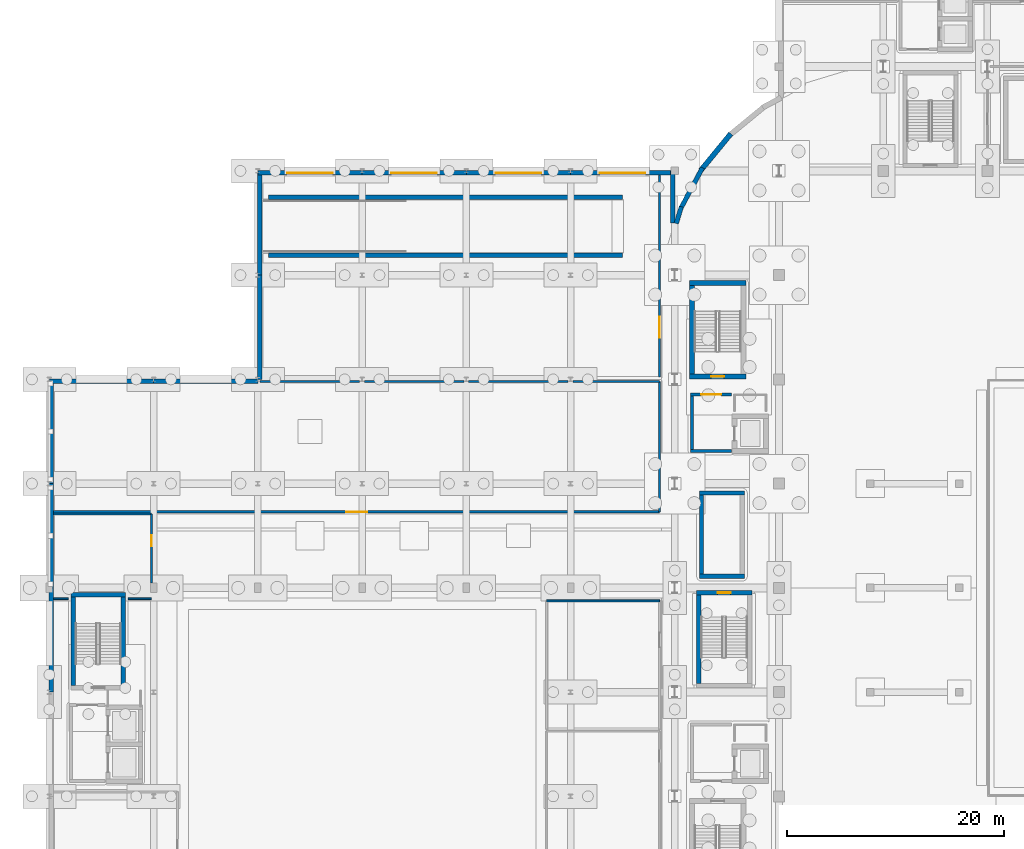
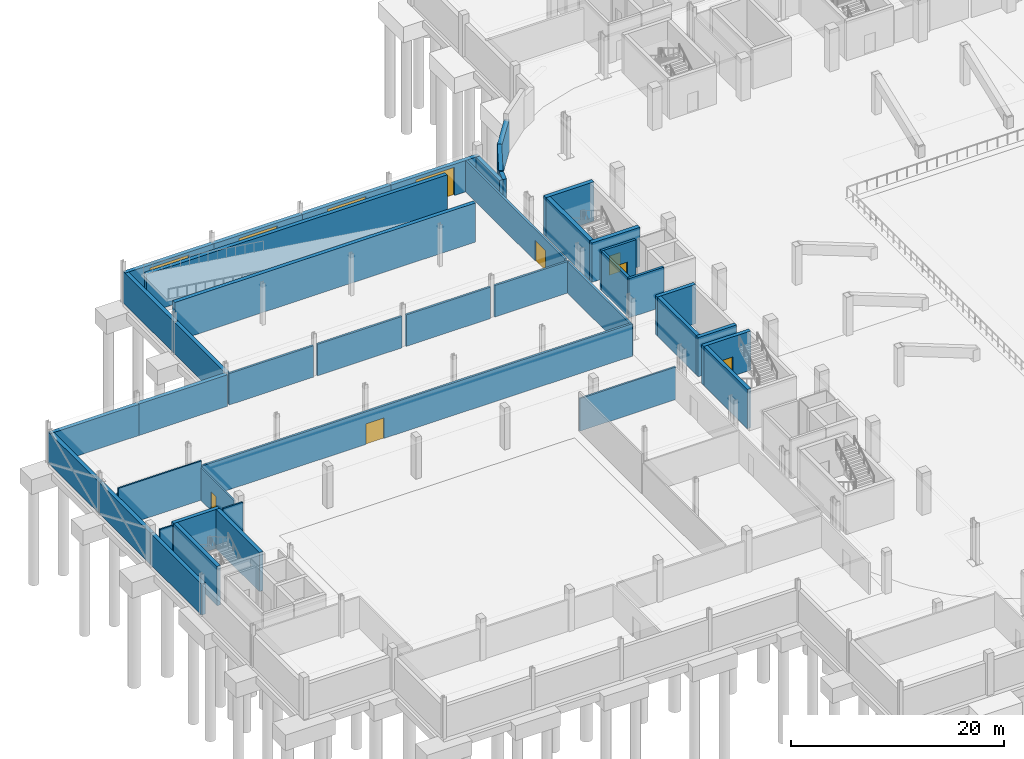
# One storey, part 29 of 67: 43 walls, 10 doors, 10 openings.
"""IFC4 building model written with IfcOpenShell, lengths in metres."""

from ifc_helpers import new_model, si_unit, direction, frame, frame_2d, origin, place, context, subcontext, project, spatial, rectangle, extrude, material, layer, layer_set, type_object, element, fill, save


model = new_model("IFC4")

# Units and contexts
model_context = context("Model", 3, precision=1e-05, world=origin(), true_north=direction((0.0, 1.0)))
body_context = subcontext(model_context, "Body", "Model", "MODEL_VIEW")
ifc_project = project(units=[si_unit("LENGTHUNIT", "METRE"), si_unit("AREAUNIT", "SQUARE_METRE"), si_unit("VOLUMEUNIT", "CUBIC_METRE"), si_unit("PLANEANGLEUNIT", "RADIAN"), si_unit("MASSUNIT", "GRAM", prefix="KILO")], contexts=[model_context])

# Site, building, storey
site_placement = place(None, origin())
site = spatial("IfcSite", under=ifc_project, at=site_placement, CompositionType="ELEMENT")
building_placement = place(site_placement, origin())
building = spatial("IfcBuilding", under=site, at=building_placement, Name="Caelomonte Colonnade Arena", CompositionType="ELEMENT")
storey_placement = place(building_placement, frame((0.0, 0.0, -4.800048828125)))
storey = spatial("IfcBuildingStorey", under=building, at=storey_placement, Name="B1", CompositionType="ELEMENT", Elevation=-4.800048828125)

# Walls
ifc_material_1 = material(Name="Concrete C40/50", Category="concrete")
ifc_layer_1 = layer(ifc_material_1, 0.419921875)
ifc_layer_set_1 = layer_set([ifc_layer_1], Name="Concrete C40/50")
wall_type_1 = type_object("IfcWallType", Name="ENV-WL-RET42", PredefinedType="USERDEFINED", material=ifc_layer_set_1)
for number, where, z_axis, x_axis, name in (
    (1, (20.199951171875, 97.840087890625, 0.0), (0.0, 0.0, 1.0), (1.0, 0.0, 0.0), "Vehicle ramp VR-01 S retaining wall"),
    (2, (20.199951171875, 103.159912109375, 0.0), (0.0, 0.0, 1.0), (1.0, 0.0, 0.0), "Vehicle ramp VR-01 N retaining wall"),
):
    element("IfcWall", number, at=place(storey_placement, frame(where, z_axis=z_axis, x_axis=x_axis)), inside=storey, type_object=wall_type_1, Name=name, ObjectType="RETAINING WALL", PredefinedType="USERDEFINED", context=body_context, shape_type="SweptSolid", body=[
        extrude(rectangle(XDim=32.60009765625, YDim=0.419921875, at=frame_2d((16.300048828125, 0.0))), origin(), (0.0, 0.0, 1.0), 4.47998046875),
    ])
wall_1_placement = place(storey_placement, frame((60.154296875, 105.887939453125, 0.0), z_axis=(0.0, 0.0, 1.0), x_axis=(-0.471390797968, -0.881924438709, 0.0)))
element("IfcWall", 3, at=wall_1_placement, inside=storey, type_object=wall_type_1, Name="B1 exterior retaining plinth wall EW-B1-0068", ObjectType="RETAINING WALL", PredefinedType="USERDEFINED", context=body_context, shape_type="SweptSolid", body=[
    extrude(rectangle(XDim=4.356689453125, YDim=0.419921875, at=frame_2d((2.17822265625, 0.0))), origin(), (0.0, 0.0, 1.0), 3.654296875),
])
wall_2_placement = place(storey_placement, frame((58.20556640625, 102.299072265625, 0.0), z_axis=(0.0, 0.0, 1.0), x_axis=(-0.290335421572, -0.956924941142, 0.0)))
element("IfcWall", 4, at=wall_2_placement, inside=storey, type_object=wall_type_1, Name="B1 exterior retaining plinth wall EW-B1-0069", ObjectType="RETAINING WALL", PredefinedType="USERDEFINED", context=body_context, shape_type="SweptSolid", body=[
    extrude(rectangle(XDim=1.611083984375, YDim=0.419921875, at=frame_2d((0.8056640625, 0.0))), origin(), (0.0, 0.0, 1.0), 3.572998046875),
])
wall_3_placement = place(storey_placement, frame((57.419921875, 100.804443359375, 0.0), z_axis=(0.0, 0.0, 1.0), x_axis=(0.0, 1.0, 0.0)))
element("IfcWall", 5, at=wall_3_placement, inside=storey, type_object=wall_type_1, Name="B1 exterior retaining plinth wall EW-B1-0070", ObjectType="RETAINING WALL", PredefinedType="USERDEFINED", context=body_context, shape_type="SweptSolid", body=[
    extrude(rectangle(XDim=4.795654296875, YDim=0.419921875, at=frame_2d((2.39794921875, 0.0))), origin(), (0.0, 0.0, 1.0), 3.572998046875),
])

# Wall, opening, door
wall_4_placement = place(storey_placement, frame((57.60009765625, 105.419921875, 0.0), z_axis=(0.0, 0.0, 1.0), x_axis=(-1.0, 0.0, 0.0)))
wall_4 = element("IfcWall", 6, at=wall_4_placement, inside=storey, type_object=wall_type_1, Name="B1 exterior retaining plinth wall EW-B1-0071", ObjectType="RETAINING WALL", PredefinedType="USERDEFINED", context=body_context, shape_type="SweptSolid", body=[
    extrude(rectangle(XDim=9.60009765625, YDim=0.419921875, at=frame_2d((4.800048828125, 0.0))), origin(), (0.0, 0.0, 1.0), 3.60009765625),
])
opening_1_placement = place(wall_4_placement, frame((6.89990234375, 0.0, 0.0), z_axis=(0.0, 0.0, 1.0), x_axis=(-1.0, 0.0, 0.0)))
opening_1 = element("IfcOpeningElement", 7, at=opening_1_placement, cuts=wall_4, Name="Opening VD-01", PredefinedType="OPENING", context=body_context, shape_type="SweptSolid", body=[
    extrude(rectangle(XDim=4.199951171875, YDim=3.25, at=frame_2d((2.10009765625, 1.625))), frame((0.0, 0.219970703125, 0.0), z_axis=(0.0, -1.0, 0.0), x_axis=(1.0, 0.0, 0.0)), (0.0, 0.0, 1.0), 0.43994140625),
])
ifc_material_2 = material(Name="Insulated galvanized steel roller shutter", Category="steel")
door_type_1 = type_object("IfcDoorType", Name="ENV-DR-VD1", OperationType="ROLLINGUP", PredefinedType="USERDEFINED", material=ifc_material_2)
door_1_placement = place(opening_1_placement, origin())
door_1 = element("IfcDoor", 8, at=door_1_placement, inside=storey, type_object=door_type_1, Name="Loading dock roller shutter VD-01", ObjectType="ROLLER SHUTTER", OperationType="ROLLINGUP", OverallHeight=3.25, OverallWidth=4.199951171875, PredefinedType="USERDEFINED", context=body_context, shape_type="SweptSolid", body=[
    extrude(rectangle(XDim=4.199951171875, YDim=3.25, at=frame_2d((2.10009765625, 1.625))), frame((0.0, 0.02490234375, 0.0), z_axis=(0.0, -1.0, 0.0), x_axis=(1.0, 0.0, 0.0)), (0.0, 0.0, 1.0), 0.050048828125),
])
fill(opening_1, door_1)

wall_5_placement = place(storey_placement, frame((48.0, 105.419921875, 0.0), z_axis=(0.0, 0.0, 1.0), x_axis=(-1.0, 0.0, 0.0)))
wall_5 = element("IfcWall", 9, at=wall_5_placement, inside=storey, type_object=wall_type_1, Name="B1 exterior retaining plinth wall EW-B1-0072", ObjectType="RETAINING WALL", PredefinedType="USERDEFINED", context=body_context, shape_type="SweptSolid", body=[
    extrude(rectangle(XDim=9.60009765625, YDim=0.419921875, at=frame_2d((4.800048828125, 0.0))), origin(), (0.0, 0.0, 1.0), 3.60009765625),
])
opening_2_placement = place(wall_5_placement, frame((6.89990234375, 0.0, 0.0), z_axis=(0.0, 0.0, 1.0), x_axis=(-1.0, 0.0, 0.0)))
opening_2 = element("IfcOpeningElement", 10, at=opening_2_placement, cuts=wall_5, Name="Opening VD-02", PredefinedType="OPENING", context=body_context, shape_type="SweptSolid", body=[
    extrude(rectangle(XDim=4.199951171875, YDim=3.25, at=frame_2d((2.10009765625, 1.625))), frame((0.0, 0.219970703125, 0.0), z_axis=(0.0, -1.0, 0.0), x_axis=(1.0, 0.0, 0.0)), (0.0, 0.0, 1.0), 0.43994140625),
])
door_2_placement = place(opening_2_placement, origin())
door_2 = element("IfcDoor", 11, at=door_2_placement, inside=storey, type_object=door_type_1, Name="Loading dock roller shutter VD-02", ObjectType="ROLLER SHUTTER", OperationType="ROLLINGUP", OverallHeight=3.25, OverallWidth=4.199951171875, PredefinedType="USERDEFINED", context=body_context, shape_type="SweptSolid", body=[
    extrude(rectangle(XDim=4.199951171875, YDim=3.25, at=frame_2d((2.10009765625, 1.625))), frame((0.0, 0.02490234375, 0.0), z_axis=(0.0, -1.0, 0.0), x_axis=(1.0, 0.0, 0.0)), (0.0, 0.0, 1.0), 0.050048828125),
])
fill(opening_2, door_2)

wall_6_placement = place(storey_placement, frame((38.39990234375, 105.419921875, 0.0), z_axis=(0.0, 0.0, 1.0), x_axis=(-1.0, 0.0, 0.0)))
wall_6 = element("IfcWall", 12, at=wall_6_placement, inside=storey, type_object=wall_type_1, Name="B1 exterior retaining plinth wall EW-B1-0073", ObjectType="RETAINING WALL", PredefinedType="USERDEFINED", context=body_context, shape_type="SweptSolid", body=[
    extrude(rectangle(XDim=9.599853515625, YDim=0.419921875, at=frame_2d((4.7998046875, 0.0))), origin(), (0.0, 0.0, 1.0), 3.60009765625),
])
opening_3_placement = place(wall_6_placement, frame((6.89990234375, 0.0, 0.0), z_axis=(0.0, 0.0, 1.0), x_axis=(-1.0, 0.0, 0.0)))
opening_3 = element("IfcOpeningElement", 13, at=opening_3_placement, cuts=wall_6, Name="Opening VD-03", PredefinedType="OPENING", context=body_context, shape_type="SweptSolid", body=[
    extrude(rectangle(XDim=4.199951171875, YDim=3.25, at=frame_2d((2.10009765625, 1.625))), frame((0.0, 0.219970703125, 0.0), z_axis=(0.0, -1.0, 0.0), x_axis=(1.0, 0.0, 0.0)), (0.0, 0.0, 1.0), 0.43994140625),
])
door_3_placement = place(opening_3_placement, origin())
door_3 = element("IfcDoor", 14, at=door_3_placement, inside=storey, type_object=door_type_1, Name="Loading dock roller shutter VD-03", ObjectType="ROLLER SHUTTER", OperationType="ROLLINGUP", OverallHeight=3.25, OverallWidth=4.199951171875, PredefinedType="USERDEFINED", context=body_context, shape_type="SweptSolid", body=[
    extrude(rectangle(XDim=4.199951171875, YDim=3.25, at=frame_2d((2.10009765625, 1.625))), frame((0.0, 0.02490234375, 0.0), z_axis=(0.0, -1.0, 0.0), x_axis=(1.0, 0.0, 0.0)), (0.0, 0.0, 1.0), 0.050048828125),
])
fill(opening_3, door_3)

wall_7_placement = place(storey_placement, frame((28.800048828125, 105.419921875, 0.0), z_axis=(0.0, 0.0, 1.0), x_axis=(-1.0, 0.0, 0.0)))
wall_7 = element("IfcWall", 15, at=wall_7_placement, inside=storey, type_object=wall_type_1, Name="B1 exterior retaining plinth wall EW-B1-0074", ObjectType="RETAINING WALL", PredefinedType="USERDEFINED", context=body_context, shape_type="SweptSolid", body=[
    extrude(rectangle(XDim=9.60009765625, YDim=0.419921875, at=frame_2d((4.800048828125, 0.0))), origin(), (0.0, 0.0, 1.0), 3.60009765625),
])
opening_4_placement = place(wall_7_placement, frame((6.89990234375, 0.0, 0.0), z_axis=(0.0, 0.0, 1.0), x_axis=(-1.0, 0.0, 0.0)))
opening_4 = element("IfcOpeningElement", 16, at=opening_4_placement, cuts=wall_7, Name="Opening VD-04", PredefinedType="OPENING", context=body_context, shape_type="SweptSolid", body=[
    extrude(rectangle(XDim=4.199951171875, YDim=3.25, at=frame_2d((2.10009765625, 1.625))), frame((0.0, 0.219970703125, 0.0), z_axis=(0.0, -1.0, 0.0), x_axis=(1.0, 0.0, 0.0)), (0.0, 0.0, 1.0), 0.43994140625),
])
door_4_placement = place(opening_4_placement, origin())
door_4 = element("IfcDoor", 17, at=door_4_placement, inside=storey, type_object=door_type_1, Name="Loading dock roller shutter VD-04", ObjectType="ROLLER SHUTTER", OperationType="ROLLINGUP", OverallHeight=3.25, OverallWidth=4.199951171875, PredefinedType="USERDEFINED", context=body_context, shape_type="SweptSolid", body=[
    extrude(rectangle(XDim=4.199951171875, YDim=3.25, at=frame_2d((2.10009765625, 1.625))), frame((0.0, 0.02490234375, 0.0), z_axis=(0.0, -1.0, 0.0), x_axis=(1.0, 0.0, 0.0)), (0.0, 0.0, 1.0), 0.050048828125),
])
fill(opening_4, door_4)

# Walls
for number, where, z_axis, x_axis, name in (
    (18, (19.3798828125, 105.60009765625, 0.0), (0.0, 0.0, 1.0), (0.0, -1.0, 0.0), "B1 exterior retaining plinth wall EW-B1-0075"),
    (19, (19.3798828125, 96.0, 0.0), (0.0, 0.0, 1.0), (0.0, -1.0, 0.0), "B1 exterior retaining plinth wall EW-B1-0076"),
):
    element("IfcWall", number, at=place(storey_placement, frame(where, z_axis=z_axis, x_axis=x_axis)), inside=storey, type_object=wall_type_1, Name=name, ObjectType="RETAINING WALL", PredefinedType="USERDEFINED", context=body_context, shape_type="SweptSolid", body=[
        extrude(rectangle(XDim=9.60009765625, YDim=0.419921875, at=frame_2d((4.800048828125, 0.0))), origin(), (0.0, 0.0, 1.0), 3.60009765625),
    ])
wall_8_placement = place(storey_placement, frame((19.199951171875, 86.219970703125, 0.0), z_axis=(0.0, 0.0, 1.0), x_axis=(-1.0, 0.0, 0.0)))
element("IfcWall", 20, at=wall_8_placement, inside=storey, type_object=wall_type_1, Name="B1 exterior retaining plinth wall EW-B1-0077", ObjectType="RETAINING WALL", PredefinedType="USERDEFINED", context=body_context, shape_type="SweptSolid", body=[
    extrude(rectangle(XDim=9.599853515625, YDim=0.419921875, at=frame_2d((4.7998046875, 0.0))), origin(), (0.0, 0.0, 1.0), 3.60009765625),
])
wall_9_placement = place(storey_placement, frame((9.60009765625, 86.219970703125, 0.0), z_axis=(0.0, 0.0, 1.0), x_axis=(-1.0, 0.0, 0.0)))
element("IfcWall", 21, at=wall_9_placement, inside=storey, type_object=wall_type_1, Name="B1 exterior retaining plinth wall EW-B1-0078", ObjectType="RETAINING WALL", PredefinedType="USERDEFINED", context=body_context, shape_type="SweptSolid", body=[
    extrude(rectangle(XDim=9.60009765625, YDim=0.419921875, at=frame_2d((4.800048828125, 0.0))), origin(), (0.0, 0.0, 1.0), 3.572998046875),
])
wall_10_placement = place(storey_placement, frame((0.179931640625, 86.39990234375, 0.0), z_axis=(0.0, 0.0, 1.0), x_axis=(0.0, -1.0, 0.0)))
element("IfcWall", 22, at=wall_10_placement, inside=storey, type_object=wall_type_1, Name="B1 exterior retaining plinth wall EW-B1-0079", ObjectType="RETAINING WALL", PredefinedType="USERDEFINED", context=body_context, shape_type="SweptSolid", body=[
    extrude(rectangle(XDim=9.599853515625, YDim=0.419921875, at=frame_2d((4.7998046875, 0.0))), origin(), (0.0, 0.0, 1.0), 3.572998046875),
])
wall_11_placement = place(storey_placement, frame((0.179931640625, 76.800048828125, 0.0), z_axis=(0.0, 0.0, 1.0), x_axis=(0.0, -1.0, 0.0)))
element("IfcWall", 23, at=wall_11_placement, inside=storey, type_object=wall_type_1, Name="B1 exterior retaining plinth wall EW-B1-0080", ObjectType="RETAINING WALL", PredefinedType="USERDEFINED", context=body_context, shape_type="SweptSolid", body=[
    extrude(rectangle(XDim=9.60009765625, YDim=0.419921875, at=frame_2d((4.800048828125, 0.0))), origin(), (0.0, 0.0, 1.0), 3.572998046875),
])
wall_12_placement = place(storey_placement, frame((0.179931640625, 67.199951171875, 0.0), z_axis=(0.0, 0.0, 1.0), x_axis=(0.0, -1.0, 0.0)))
element("IfcWall", 24, at=wall_12_placement, inside=storey, type_object=wall_type_1, Name="B1 exterior retaining plinth wall EW-B1-0081", ObjectType="RETAINING WALL", PredefinedType="USERDEFINED", context=body_context, shape_type="SweptSolid", body=[
    extrude(rectangle(XDim=9.599853515625, YDim=0.419921875, at=frame_2d((4.7998046875, 0.0))), origin(), (0.0, 0.0, 1.0), 3.572998046875),
])
ifc_layer_2 = layer(ifc_material_1, 0.47998046875)
ifc_layer_set_2 = layer_set([ifc_layer_2], Name="Concrete C40/50")
wall_type_2 = type_object("IfcWallType", Name="ENV-WL-RET48", PredefinedType="USERDEFINED", material=ifc_layer_set_2)
wall_13_placement = place(storey_placement, frame((62.76611328125, 109.02783203125, 0.0), z_axis=(0.0, 0.0, 1.0), x_axis=(-0.634384447019, -0.773017705735, 0.0)))
element("IfcWall", 25, at=wall_13_placement, inside=storey, type_object=wall_type_2, Name="B1 exterior retaining plinth wall EW-B1-0067", ObjectType="RETAINING WALL", PredefinedType="USERDEFINED", context=body_context, shape_type="SweptSolid", body=[
    extrude(rectangle(XDim=4.35693359375, YDim=0.47998046875, at=frame_2d((2.178466796875, 0.0))), origin(), (0.0, 0.0, 1.0), 3.654296875),
])
ifc_layer_3 = layer(ifc_material_1, 0.260009765625)
ifc_layer_set_3 = layer_set([ifc_layer_3], Name="Concrete C40/50")
wall_type_3 = type_object("IfcWallType", Name="INT-WL-FW26", PredefinedType="SOLIDWALL", material=ifc_layer_set_3)
wall_14_placement = place(storey_placement, frame((59.070068359375, 79.800048828125, 0.0), z_axis=(0.0, 0.0, 1.0), x_axis=(1.0, 0.0, 0.0)))
element("IfcWall", 26, at=wall_14_placement, inside=storey, type_object=wall_type_3, Name="FW-C4-LB B1 south enclosure wall", PredefinedType="SOLIDWALL", context=body_context, shape_type="SweptSolid", body=[
    extrude(rectangle(XDim=3.760009765625, YDim=0.260009765625, at=frame_2d((1.8798828125, 0.0))), origin(), (0.0, 0.0, 1.0), 4.5),
])

# Wall, opening, door
wall_15_placement = place(storey_placement, frame((62.830078125, 85.0, 0.0), z_axis=(0.0, 0.0, 1.0), x_axis=(-1.0, 0.0, 0.0)))
wall_15 = element("IfcWall", 27, at=wall_15_placement, inside=storey, type_object=wall_type_3, Name="FW-C4-LB B1 north enclosure wall", PredefinedType="SOLIDWALL", context=body_context, shape_type="SweptSolid", body=[
    extrude(rectangle(XDim=3.760009765625, YDim=0.260009765625, at=frame_2d((1.8798828125, 0.0))), origin(), (0.0, 0.0, 1.0), 4.5),
])
opening_5_placement = place(wall_15_placement, frame((2.80517578125, 0.0, 0.0), z_axis=(0.0, 0.0, 1.0), x_axis=(-1.0, 0.0, 0.0)))
opening_5 = element("IfcOpeningElement", 28, at=opening_5_placement, cuts=wall_15, Name="Opening FD-2", PredefinedType="OPENING", context=body_context, shape_type="SweptSolid", body=[
    extrude(rectangle(XDim=1.85009765625, YDim=2.25, at=frame_2d((0.925048828125, 1.125))), frame((0.0, 0.139892578125, 0.0), z_axis=(0.0, -1.0, 0.0), x_axis=(1.0, 0.0, 0.0)), (0.0, 0.0, 1.0), 0.280029296875),
])
ifc_material_3 = material(Name="Fire-rated double steel door", Category="steel")
door_type_2 = type_object("IfcDoorType", Name="INT-DR-FD90B", OperationType="DOUBLE_DOOR_SINGLE_SWING", PredefinedType="DOOR", material=ifc_material_3)
door_5_placement = place(opening_5_placement, origin())
door_5 = element("IfcDoor", 29, at=door_5_placement, inside=storey, type_object=door_type_2, Name="Core C4 B1 lobby fire door", OperationType="DOUBLE_DOOR_SINGLE_SWING", OverallHeight=2.25, OverallWidth=1.85009765625, PredefinedType="DOOR", context=body_context, shape_type="SweptSolid", body=[
    extrude(rectangle(XDim=1.85009765625, YDim=2.25, at=frame_2d((0.925048828125, 1.125))), frame((0.0, 0.02490234375, 0.0), z_axis=(0.0, -1.0, 0.0), x_axis=(1.0, 0.0, 0.0)), (0.0, 0.0, 1.0), 0.050048828125),
])
fill(opening_5, door_5)

# Walls
wall_16_placement = place(storey_placement, frame((59.199951171875, 84.8701171875, 0.0), z_axis=(0.0, 0.0, 1.0), x_axis=(0.0, -1.0, 0.0)))
element("IfcWall", 30, at=wall_16_placement, inside=storey, type_object=wall_type_3, Name="FW-C4-LB B1 west enclosure wall", PredefinedType="SOLIDWALL", context=body_context, shape_type="SweptSolid", body=[
    extrude(rectangle(XDim=4.940185546875, YDim=0.260009765625, at=frame_2d((2.47021484375, 0.0))), origin(), (0.0, 0.0, 1.0), 4.5),
])
ifc_material_4 = material(Name="Moisture-resistant WC partition")
ifc_layer_4 = layer(ifc_material_4, 0.159912109375)
ifc_layer_set_4 = layer_set([ifc_layer_4], Name="Moisture-resistant WC partition")
wall_type_4 = type_object("IfcWallType", Name="INT-WL-PT16", PredefinedType="PARTITIONING", material=ifc_layer_set_4)
wall_17_placement = place(storey_placement, frame((1.75, 66.199951171875, 0.0), z_axis=(0.0, 0.0, 1.0), x_axis=(-1.0, 0.0, 0.0)))
element("IfcWall", 31, at=wall_17_placement, inside=storey, type_object=wall_type_4, Name="B1 Athlete Accessible WC partition 63", PredefinedType="PARTITIONING", context=body_context, shape_type="SweptSolid", body=[
    extrude(rectangle(XDim=1.35009765625, YDim=0.159912109375, at=frame_2d((0.675048828125, 0.0))), origin(), (0.0, 0.0, 1.0), 4.5),
])
wall_18_placement = place(storey_placement, frame((0.39990234375, 74.0, 0.0), z_axis=(0.0, 0.0, 1.0), x_axis=(1.0, 0.0, 0.0)))
element("IfcWall", 32, at=wall_18_placement, inside=storey, type_object=wall_type_4, Name="B1 Athlete Accessible WC partition 64", PredefinedType="PARTITIONING", context=body_context, shape_type="SweptSolid", body=[
    extrude(rectangle(XDim=9.0, YDim=0.159912109375, at=frame_2d((4.5, 0.0))), origin(), (0.0, 0.0, 1.0), 4.5),
])

# Wall, opening, door
wall_19_placement = place(storey_placement, frame((9.39990234375, 74.0, 0.0), z_axis=(0.0, 0.0, 1.0), x_axis=(0.0, -1.0, 0.0)))
wall_19 = element("IfcWall", 33, at=wall_19_placement, inside=storey, type_object=wall_type_4, Name="B1 Athlete Accessible WC partition 65", PredefinedType="PARTITIONING", context=body_context, shape_type="SweptSolid", body=[
    extrude(rectangle(XDim=6.340087890625, YDim=0.159912109375, at=frame_2d((3.169921875, 0.0))), origin(), (0.0, 0.0, 1.0), 3.738037109375),
])
opening_6_placement = place(wall_19_placement, frame((1.958251953125, 0.0, 0.0), z_axis=(0.0, 0.0, 1.0), x_axis=(1.0, 0.0, 0.0)))
opening_6 = element("IfcOpeningElement", 34, at=opening_6_placement, cuts=wall_19, Name="Opening D-B1-020", PredefinedType="OPENING", context=body_context, shape_type="SweptSolid", body=[
    extrude(rectangle(XDim=1.02001953125, YDim=2.14990234375, at=frame_2d((0.510009765625, 1.074951171875))), frame((0.0, 0.08984375, 0.0), z_axis=(0.0, -1.0, 0.0), x_axis=(1.0, 0.0, 0.0)), (0.0, 0.0, 1.0), 0.179931640625),
])
ifc_material_5 = material(Name="Accessible WC outward-swing door")
door_type_3 = type_object("IfcDoorType", Name="INT-DR-AWC", OperationType="NOTDEFINED", PredefinedType="DOOR", material=ifc_material_5)
door_6_placement = place(opening_6_placement, origin())
door_6 = element("IfcDoor", 35, at=door_6_placement, inside=storey, type_object=door_type_3, Name="B1 Athlete Accessible WC door D-B1-020", OperationType="SINGLE_SWING_LEFT", OverallHeight=2.14990234375, OverallWidth=1.02001953125, PredefinedType="DOOR", context=body_context, shape_type="SweptSolid", body=[
    extrude(rectangle(XDim=1.02001953125, YDim=2.14990234375, at=frame_2d((0.510009765625, 1.074951171875))), frame((0.0, 0.02490234375, 0.0), z_axis=(0.0, -1.0, 0.0), x_axis=(1.0, 0.0, 0.0)), (0.0, 0.0, 1.0), 0.050048828125),
])
fill(opening_6, door_6)

# Walls
wall_20_placement = place(storey_placement, frame((9.39990234375, 66.199951171875, 0.0), z_axis=(0.0, 0.0, 1.0), x_axis=(-1.0, 0.0, 0.0)))
element("IfcWall", 36, at=wall_20_placement, inside=storey, type_object=wall_type_4, Name="B1 Athlete Accessible WC partition 66", PredefinedType="PARTITIONING", context=body_context, shape_type="SweptSolid", body=[
    extrude(rectangle(XDim=2.14990234375, YDim=0.159912109375, at=frame_2d((1.074951171875, 0.0))), origin(), (0.0, 0.0, 1.0), 4.5),
])
ifc_material_6 = material(Name="Acoustic gypsum stud partition")
ifc_layer_5 = layer(ifc_material_6, 0.179931640625)
ifc_layer_set_5 = layer_set([ifc_layer_5], Name="Acoustic gypsum stud partition")
wall_type_5 = type_object("IfcWallType", Name="INT-WL-PT18", PredefinedType="PARTITIONING", material=ifc_layer_set_5)
wall_21_placement = place(storey_placement, frame((45.800048828125, 66.0, 0.0), z_axis=(0.0, 0.0, 1.0), x_axis=(1.0, 0.0, 0.0)))
element("IfcWall", 37, at=wall_21_placement, inside=storey, type_object=wall_type_5, Name="B1 Doping Control Clinic partition 58", PredefinedType="PARTITIONING", context=body_context, shape_type="SweptSolid", body=[
    extrude(rectangle(XDim=10.39990234375, YDim=0.179931640625, at=frame_2d((5.199951171875, 0.0))), origin(), (0.0, 0.0, 1.0), 3.738037109375),
])
ifc_material_7 = material(Name="Acoustic masonry blockwork", Category="masonry")
ifc_layer_6 = layer(ifc_material_7, 0.219970703125)
ifc_layer_set_6 = layer_set([ifc_layer_6], Name="Acoustic masonry blockwork")
wall_type_6 = type_object("IfcWallType", Name="INT-WL-PT22", PredefinedType="PARTITIONING", material=ifc_layer_set_6)
wall_22_placement = place(storey_placement, frame((19.422119140625, 86.199951171875, 0.0), z_axis=(0.0, 0.0, 1.0), x_axis=(1.0, 0.0, 0.0)))
element("IfcWall", 38, at=wall_22_placement, inside=storey, type_object=wall_type_6, Name="B1 Event Marshalling Area partition 67", PredefinedType="PARTITIONING", context=body_context, shape_type="SweptSolid", body=[
    extrude(rectangle(XDim=9.15576171875, YDim=0.219970703125, at=frame_2d((4.577880859375, 0.0))), origin(), (0.0, 0.0, 1.0), 3.60009765625),
])
for number, where, z_axis, x_axis, name in (
    (39, (29.02197265625, 86.199951171875, 0.0), (0.0, 0.0, 1.0), (1.0, 0.0, 0.0), "B1 Event Marshalling Area partition 68"),
    (40, (38.6220703125, 86.199951171875, 0.0), (0.0, 0.0, 1.0), (1.0, 0.0, 0.0), "B1 Event Marshalling Area partition 69"),
):
    element("IfcWall", number, at=place(storey_placement, frame(where, z_axis=z_axis, x_axis=x_axis)), inside=storey, type_object=wall_type_6, Name=name, PredefinedType="PARTITIONING", context=body_context, shape_type="SweptSolid", body=[
        extrude(rectangle(XDim=9.156005859375, YDim=0.219970703125, at=frame_2d((4.578125, 0.0))), origin(), (0.0, 0.0, 1.0), 3.60009765625),
    ])
wall_23_placement = place(storey_placement, frame((48.221923828125, 86.199951171875, 0.0), z_axis=(0.0, 0.0, 1.0), x_axis=(1.0, 0.0, 0.0)))
element("IfcWall", 41, at=wall_23_placement, inside=storey, type_object=wall_type_6, Name="B1 Event Marshalling Area partition 70", PredefinedType="PARTITIONING", context=body_context, shape_type="SweptSolid", body=[
    extrude(rectangle(XDim=7.97802734375, YDim=0.219970703125, at=frame_2d((3.989013671875, 0.0))), origin(), (0.0, 0.0, 1.0), 3.60009765625),
])
wall_24_placement = place(storey_placement, frame((56.199951171875, 86.199951171875, 0.0), z_axis=(0.0, 0.0, 1.0), x_axis=(0.0, -1.0, 0.0)))
element("IfcWall", 42, at=wall_24_placement, inside=storey, type_object=wall_type_6, Name="B1 Event Marshalling Area partition 71", PredefinedType="PARTITIONING", context=body_context, shape_type="SweptSolid", body=[
    extrude(rectangle(XDim=12.0, YDim=0.219970703125, at=frame_2d((6.0, 0.0))), origin(), (0.0, 0.0, 1.0), 3.60009765625),
])

# Wall, opening, door
wall_25_placement = place(storey_placement, frame((56.199951171875, 74.199951171875, 0.0), z_axis=(0.0, 0.0, 1.0), x_axis=(-1.0, 0.0, 0.0)))
wall_25 = element("IfcWall", 43, at=wall_25_placement, inside=storey, type_object=wall_type_6, Name="B1 Event Marshalling Area partition 72", PredefinedType="PARTITIONING", context=body_context, shape_type="SweptSolid", body=[
    extrude(rectangle(XDim=55.800048828125, YDim=0.219970703125, at=frame_2d((27.89990234375, 0.0))), origin(), (0.0, 0.0, 1.0), 3.738037109375),
])
opening_7_placement = place(wall_25_placement, frame((26.925048828125, 0.0, 0.0), z_axis=(0.0, 0.0, 1.0), x_axis=(1.0, 0.0, 0.0)))
opening_7 = element("IfcOpeningElement", 44, at=opening_7_placement, cuts=wall_25, Name="Opening D-B1-021", PredefinedType="OPENING", context=body_context, shape_type="SweptSolid", body=[
    extrude(rectangle(XDim=1.949951171875, YDim=2.35009765625, at=frame_2d((0.97509765625, 1.175048828125))), frame((0.0, 0.119873046875, 0.0), z_axis=(0.0, -1.0, 0.0), x_axis=(1.0, 0.0, 0.0)), (0.0, 0.0, 1.0), 0.239990234375),
])
ifc_material_8 = material(Name="Double hollow-metal plant room door")
door_type_4 = type_object("IfcDoorType", Name="INT-DR-PLT", OperationType="DOUBLE_DOOR_SINGLE_SWING", PredefinedType="DOOR", material=ifc_material_8)
door_7_placement = place(opening_7_placement, origin())
door_7 = element("IfcDoor", 45, at=door_7_placement, inside=storey, type_object=door_type_4, Name="B1 Event Marshalling Area door D-B1-021", OperationType="DOUBLE_DOOR_SINGLE_SWING", OverallHeight=2.35009765625, OverallWidth=1.949951171875, PredefinedType="DOOR", context=body_context, shape_type="SweptSolid", body=[
    extrude(rectangle(XDim=1.949951171875, YDim=2.35009765625, at=frame_2d((0.97509765625, 1.175048828125))), frame((0.0, 0.02490234375, 0.0), z_axis=(0.0, -1.0, 0.0), x_axis=(1.0, 0.0, 0.0)), (0.0, 0.0, 1.0), 0.050048828125),
])
fill(opening_7, door_7)

wall_26_placement = place(storey_placement, frame((56.199951171875, 105.199951171875, 0.0), z_axis=(0.0, 0.0, 1.0), x_axis=(0.0, -1.0, 0.0)))
wall_26 = element("IfcWall", 46, at=wall_26_placement, inside=storey, type_object=wall_type_6, Name="B1 Truck Loading Dock partition 73", PredefinedType="PARTITIONING", context=body_context, shape_type="SweptSolid", body=[
    extrude(rectangle(XDim=18.599853515625, YDim=0.219970703125, at=frame_2d((9.2998046875, 0.0))), origin(), (0.0, 0.0, 1.0), 3.60009765625),
])
opening_8_placement = place(wall_26_placement, frame((13.02490234375, 0.0, 0.0), z_axis=(0.0, 0.0, 1.0), x_axis=(1.0, 0.0, 0.0)))
opening_8 = element("IfcOpeningElement", 47, at=opening_8_placement, cuts=wall_26, Name="Opening D-B1-022", PredefinedType="OPENING", context=body_context, shape_type="SweptSolid", body=[
    extrude(rectangle(XDim=1.949951171875, YDim=2.35009765625, at=frame_2d((0.97509765625, 1.175048828125))), frame((0.0, 0.119873046875, 0.0), z_axis=(0.0, -1.0, 0.0), x_axis=(1.0, 0.0, 0.0)), (0.0, 0.0, 1.0), 0.239990234375),
])
door_8_placement = place(opening_8_placement, origin())
door_8 = element("IfcDoor", 48, at=door_8_placement, inside=storey, type_object=door_type_4, Name="B1 Truck Loading Dock door D-B1-022", OperationType="DOUBLE_DOOR_SINGLE_SWING", OverallHeight=2.35009765625, OverallWidth=1.949951171875, PredefinedType="DOOR", context=body_context, shape_type="SweptSolid", body=[
    extrude(rectangle(XDim=1.949951171875, YDim=2.35009765625, at=frame_2d((0.97509765625, 1.175048828125))), frame((0.0, 0.02490234375, 0.0), z_axis=(0.0, -1.0, 0.0), x_axis=(1.0, 0.0, 0.0)), (0.0, 0.0, 1.0), 0.050048828125),
])
fill(opening_8, door_8)

# Walls
ifc_material_9 = material(Name="Concrete C50/60", Category="concrete")
ifc_layer_7 = layer(ifc_material_9, 0.39990234375)
ifc_layer_set_7 = layer_set([ifc_layer_7], Name="Concrete C50/60")
wall_type_7 = type_object("IfcWallType", Name="INT-WL-SH40", PredefinedType="SHEAR", material=ifc_layer_set_7)
wall_27_placement = place(storey_placement, frame((7.0, 66.550048828125, 0.0), z_axis=(0.0, 0.0, 1.0), x_axis=(-1.0, 0.0, 0.0)))
element("IfcWall", 49, at=wall_27_placement, inside=storey, type_object=wall_type_7, Name="CW-C8-ST B1 north enclosure wall", PredefinedType="SHEAR", context=body_context, shape_type="SweptSolid", body=[
    extrude(rectangle(XDim=5.0, YDim=0.39990234375, at=frame_2d((2.5, 0.0))), origin(), (0.0, 0.0, 1.0), 4.5),
])
for number, where, z_axis, x_axis, name in (
    (50, (2.199951171875, 66.35009765625, 0.0), (0.0, 0.0, 1.0), (0.0, -1.0, 0.0), "CW-C8-ST B1 west enclosure wall"),
    (51, (6.800048828125, 58.199951171875, 0.0), (0.0, 0.0, 1.0), (0.0, 1.0, 0.0), "CW-C8-ST B1 east enclosure wall"),
):
    element("IfcWall", number, at=place(storey_placement, frame(where, z_axis=z_axis, x_axis=x_axis)), inside=storey, type_object=wall_type_7, Name=name, PredefinedType="SHEAR", context=body_context, shape_type="SweptSolid", body=[
        extrude(rectangle(XDim=8.150146484375, YDim=0.39990234375, at=frame_2d((4.0751953125, 0.0))), origin(), (0.0, 0.0, 1.0), 4.5),
    ])

# Wall, opening, door
wall_28_placement = place(storey_placement, frame((64.699951171875, 66.75, 0.0), z_axis=(0.0, 0.0, 1.0), x_axis=(-1.0, 0.0, 0.0)))
wall_28 = element("IfcWall", 52, at=wall_28_placement, inside=storey, type_object=wall_type_7, Name="CW-ST-09 B1 north enclosure wall", PredefinedType="SHEAR", context=body_context, shape_type="SweptSolid", body=[
    extrude(rectangle(XDim=5.099853515625, YDim=0.39990234375, at=frame_2d((2.5498046875, 0.0))), origin(), (0.0, 0.0, 1.0), 4.5),
])
opening_9_placement = place(wall_28_placement, frame((3.14990234375, 0.0, 0.0), z_axis=(0.0, 0.0, 1.0), x_axis=(-1.0, 0.0, 0.0)))
opening_9 = element("IfcOpeningElement", 53, at=opening_9_placement, cuts=wall_28, Name="Opening FD-1", PredefinedType="OPENING", context=body_context, shape_type="SweptSolid", body=[
    extrude(rectangle(XDim=1.199951171875, YDim=2.199951171875, at=frame_2d((0.60009765625, 1.10009765625))), frame((0.0, 0.2099609375, 0.0), z_axis=(0.0, -1.0, 0.0), x_axis=(1.0, 0.0, 0.0)), (0.0, 0.0, 1.0), 0.419921875),
])
ifc_material_10 = material(Name="Fire-rated steel door", Category="steel")
door_type_5 = type_object("IfcDoorType", Name="INT-DR-FD90A", OperationType="NOTDEFINED", PredefinedType="DOOR", material=ifc_material_10)
door_9_placement = place(opening_9_placement, origin())
door_9 = element("IfcDoor", 54, at=door_9_placement, inside=storey, type_object=door_type_5, Name="Protected exit stair ST-09 B1 fire door", OperationType="SINGLE_SWING_RIGHT", OverallHeight=2.199951171875, OverallWidth=1.199951171875, PredefinedType="DOOR", context=body_context, shape_type="SweptSolid", body=[
    extrude(rectangle(XDim=1.199951171875, YDim=2.199951171875, at=frame_2d((0.60009765625, 1.10009765625))), frame((0.0, 0.02490234375, 0.0), z_axis=(0.0, -1.0, 0.0), x_axis=(1.0, 0.0, 0.0)), (0.0, 0.0, 1.0), 0.050048828125),
])
fill(opening_9, door_9)

# Walls
wall_29_placement = place(storey_placement, frame((59.800048828125, 66.550048828125, 0.0), z_axis=(0.0, 0.0, 1.0), x_axis=(0.0, -1.0, 0.0)))
element("IfcWall", 55, at=wall_29_placement, inside=storey, type_object=wall_type_7, Name="CW-ST-09 B1 west enclosure wall", PredefinedType="SHEAR", context=body_context, shape_type="SweptSolid", body=[
    extrude(rectangle(XDim=8.150146484375, YDim=0.39990234375, at=frame_2d((4.0751953125, 0.0))), origin(), (0.0, 0.0, 1.0), 4.5),
])
for number, where, z_axis, x_axis, name in (
    (56, (59.8701171875, 68.27001953125, 0.0), (0.0, 0.0, 1.0), (1.0, 0.0, 0.0), "CW-ST-V07 B1 south enclosure wall"),
    (57, (64.030029296875, 75.929931640625, 0.0), (0.0, 0.0, 1.0), (-1.0, 0.0, 0.0), "CW-ST-V07 B1 north enclosure wall"),
):
    element("IfcWall", number, at=place(storey_placement, frame(where, z_axis=z_axis, x_axis=x_axis)), inside=storey, type_object=wall_type_7, Name=name, PredefinedType="SHEAR", context=body_context, shape_type="SweptSolid", body=[
        extrude(rectangle(XDim=4.159912109375, YDim=0.39990234375, at=frame_2d((2.080078125, 0.0))), origin(), (0.0, 0.0, 1.0), 4.5),
    ])
wall_30_placement = place(storey_placement, frame((60.070068359375, 75.72998046875, 0.0), z_axis=(0.0, 0.0, 1.0), x_axis=(0.0, -1.0, 0.0)))
element("IfcWall", 58, at=wall_30_placement, inside=storey, type_object=wall_type_7, Name="CW-ST-V07 B1 west enclosure wall", PredefinedType="SHEAR", context=body_context, shape_type="SweptSolid", body=[
    extrude(rectangle(XDim=7.260009765625, YDim=0.39990234375, at=frame_2d((3.6298828125, 0.0))), origin(), (0.0, 0.0, 1.0), 4.5),
])

# Wall, opening, door
ifc_layer_8 = layer(ifc_material_9, 0.449951171875)
ifc_layer_set_8 = layer_set([ifc_layer_8], Name="Concrete C50/60")
wall_type_8 = type_object("IfcWallType", Name="INT-WL-SH45", PredefinedType="SHEAR", material=ifc_layer_set_8)
wall_31_placement = place(storey_placement, frame((58.949951171875, 86.675048828125, 0.0), z_axis=(0.0, 0.0, 1.0), x_axis=(1.0, 0.0, 0.0)))
wall_31 = element("IfcWall", 59, at=wall_31_placement, inside=storey, type_object=wall_type_8, Name="CW-C4-ST B1 south enclosure wall", PredefinedType="SHEAR", context=body_context, shape_type="SweptSolid", body=[
    extrude(rectangle(XDim=5.199951171875, YDim=0.449951171875, at=frame_2d((2.60009765625, 0.0))), origin(), (0.0, 0.0, 1.0), 4.5),
])
opening_10_placement = place(wall_31_placement, frame((3.199951171875, 0.0, 0.0), z_axis=(0.0, 0.0, 1.0), x_axis=(-1.0, 0.0, 0.0)))
opening_10 = element("IfcOpeningElement", 60, at=opening_10_placement, cuts=wall_31, Name="Opening FD-1", PredefinedType="OPENING", context=body_context, shape_type="SweptSolid", body=[
    extrude(rectangle(XDim=1.199951171875, YDim=2.199951171875, at=frame_2d((0.60009765625, 1.10009765625))), frame((0.0, 0.23486328125, 0.0), z_axis=(0.0, -1.0, 0.0), x_axis=(1.0, 0.0, 0.0)), (0.0, 0.0, 1.0), 0.469970703125),
])
door_10_placement = place(opening_10_placement, origin())
door_10 = element("IfcDoor", 61, at=door_10_placement, inside=storey, type_object=door_type_5, Name="Core C4 B1 exit stair fire door", OperationType="SINGLE_SWING_LEFT", OverallHeight=2.199951171875, OverallWidth=1.199951171875, PredefinedType="DOOR", context=body_context, shape_type="SweptSolid", body=[
    extrude(rectangle(XDim=1.199951171875, YDim=2.199951171875, at=frame_2d((0.60009765625, 1.10009765625))), frame((0.0, 0.02490234375, 0.0), z_axis=(0.0, -1.0, 0.0), x_axis=(1.0, 0.0, 0.0)), (0.0, 0.0, 1.0), 0.050048828125),
])
fill(opening_10, door_10)

# Walls
wall_32_placement = place(storey_placement, frame((64.14990234375, 95.27490234375, 0.0), z_axis=(0.0, 0.0, 1.0), x_axis=(-1.0, 0.0, 0.0)))
element("IfcWall", 62, at=wall_32_placement, inside=storey, type_object=wall_type_8, Name="CW-C4-ST B1 north enclosure wall", PredefinedType="SHEAR", context=body_context, shape_type="SweptSolid", body=[
    extrude(rectangle(XDim=5.199951171875, YDim=0.449951171875, at=frame_2d((2.60009765625, 0.0))), origin(), (0.0, 0.0, 1.0), 4.5),
])
wall_33_placement = place(storey_placement, frame((59.175048828125, 95.050048828125, 0.0), z_axis=(0.0, 0.0, 1.0), x_axis=(0.0, -1.0, 0.0)))
element("IfcWall", 63, at=wall_33_placement, inside=storey, type_object=wall_type_8, Name="CW-C4-ST B1 west enclosure wall", PredefinedType="SHEAR", context=body_context, shape_type="SweptSolid", body=[
    extrude(rectangle(XDim=8.150146484375, YDim=0.449951171875, at=frame_2d((4.0751953125, 0.0))), origin(), (0.0, 0.0, 1.0), 4.5),
])

save(model, "model.ifc")
